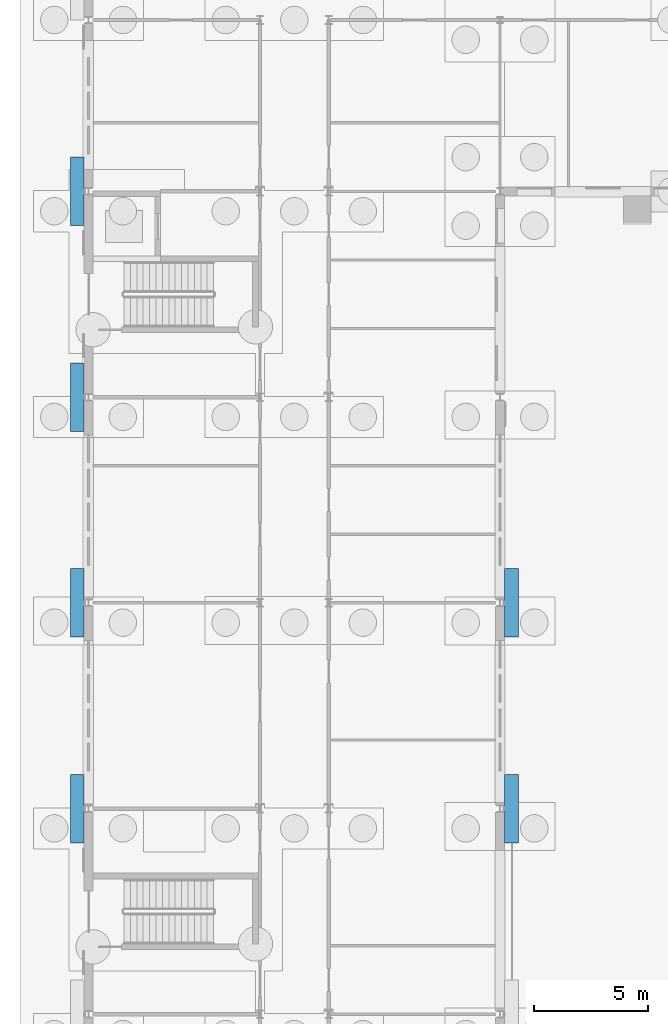
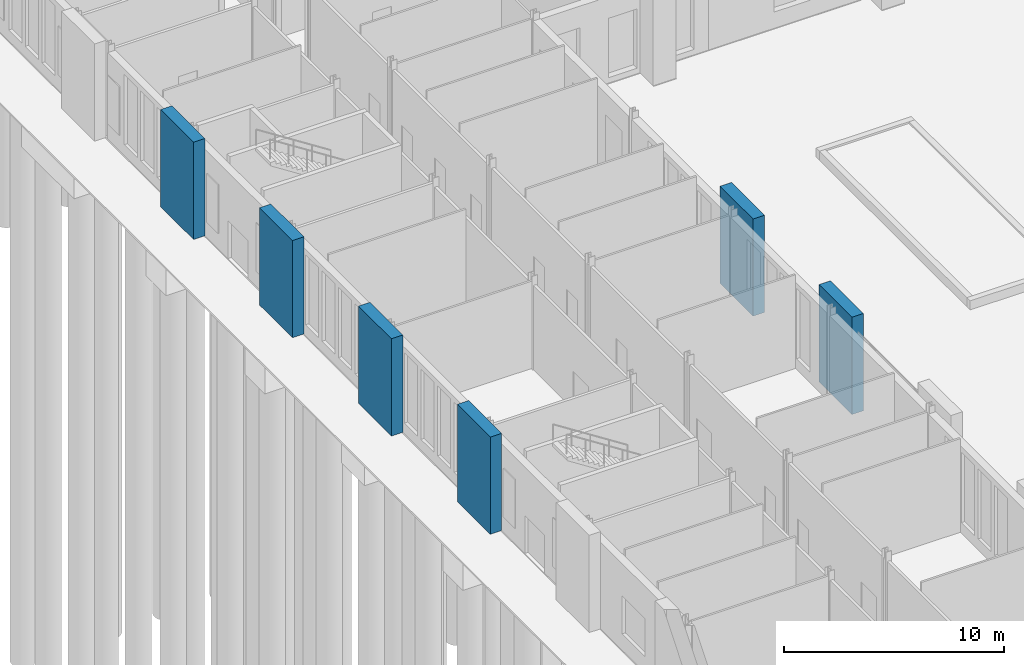
# One storey, part 51 of 168: 6 members.
"""IFC4 building model written with IfcOpenShell, lengths in metres."""

from ifc_helpers import new_model, si_unit, direction, frame, origin, origin_2d, place, context, subcontext, project, spatial, rectangle, extrude, material, material_profile, profile_set, type_object, element, save


model = new_model("IFC4")

# Units and contexts
model_context = context("Model", 3, precision=1e-05, world=origin(), true_north=direction((0.0, 1.0)))
body_context = subcontext(model_context, "Body", "Model", "MODEL_VIEW")
ifc_project = project(units=[si_unit("LENGTHUNIT", "METRE"), si_unit("AREAUNIT", "SQUARE_METRE"), si_unit("VOLUMEUNIT", "CUBIC_METRE"), si_unit("PLANEANGLEUNIT", "RADIAN"), si_unit("MASSUNIT", "GRAM", prefix="KILO")], contexts=[model_context])

# Site, building, storey
site_placement = place(None, origin())
site = spatial("IfcSite", under=ifc_project, at=site_placement, CompositionType="ELEMENT")
building_placement = place(site_placement, origin())
building = spatial("IfcBuilding", under=site, at=building_placement, Name="Golden Quay Civic Hall", CompositionType="ELEMENT")
storey_placement = place(building_placement, origin())
storey = spatial("IfcBuildingStorey", under=building, at=storey_placement, Name="L00", CompositionType="ELEMENT", Elevation=0.0)

# Members
ifc_material = material(Name="Concrete C40/50", Category="concrete")
ifc_material_profile = material_profile(ifc_material, rectangle(XDim=3.0, YDim=0.60009765625, at=origin_2d()), Name="RC 3000x600")
ifc_profile_set = profile_set([ifc_material_profile], Name="Concrete C40/50")
member_type = type_object("IfcMemberType", Name="Precast concrete facade pier 3000 x 600", PredefinedType="POST", material=ifc_profile_set)
for number, where, z_axis, x_axis, name in (
    (1, (-0.5, 36.0, 0.0), (0.0, 0.0, 1.0), (0.0, 1.0, 0.0), "Precast concrete facade pier 3000 x 600 L00 4"),
    (2, (-0.5, 45.0, 0.0), (0.0, 0.0, 1.0), (0.0, 1.0, 0.0), "Precast concrete facade pier 3000 x 600 L00 5"),
    (3, (-0.5, 54.0, 0.0), (0.0, 0.0, 1.0), (0.0, 1.0, 0.0), "Precast concrete facade pier 3000 x 600 L00 6"),
    (4, (-0.5, 63.0, 0.0), (0.0, 0.0, 1.0), (0.0, 1.0, 0.0), "Precast concrete facade pier 3000 x 600 L00 7"),
    (5, (18.5, 36.0, 0.0), (0.0, 0.0, 1.0), (0.0, 1.0, 0.0), "Precast concrete facade pier 3000 x 600 L00 14"),
    (6, (18.5, 45.0, 0.0), (0.0, 0.0, 1.0), (0.0, 1.0, 0.0), "Precast concrete facade pier 3000 x 600 L00 15"),
):
    element("IfcMember", number, at=place(storey_placement, frame(where, z_axis=z_axis, x_axis=x_axis)), inside=storey, type_object=member_type, Name=name, PredefinedType="POST", context=body_context, shape_type="SweptSolid", body=[
        extrude(rectangle(XDim=3.0, YDim=0.60009765625, at=origin_2d()), origin(), (0.0, 0.0, 1.0), 5.39990234375),
    ])

save(model, "model.ifc")
